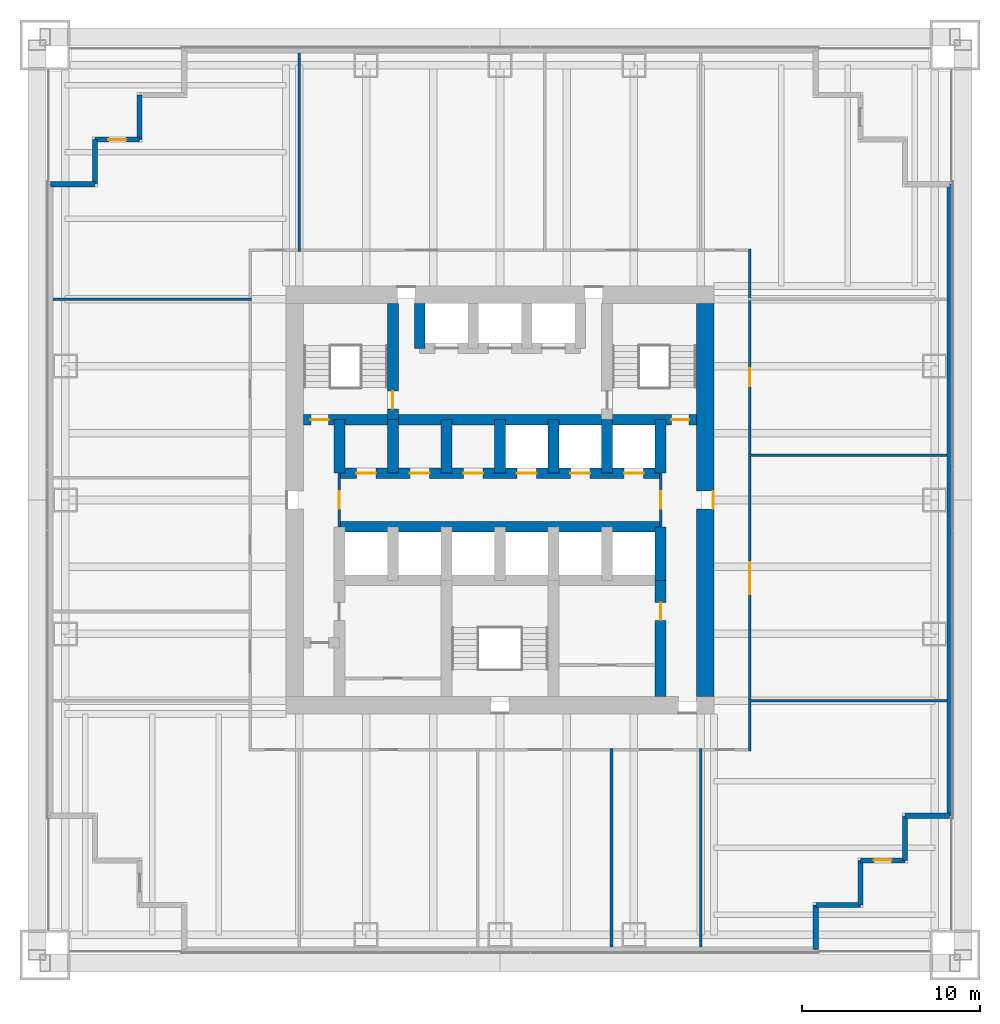
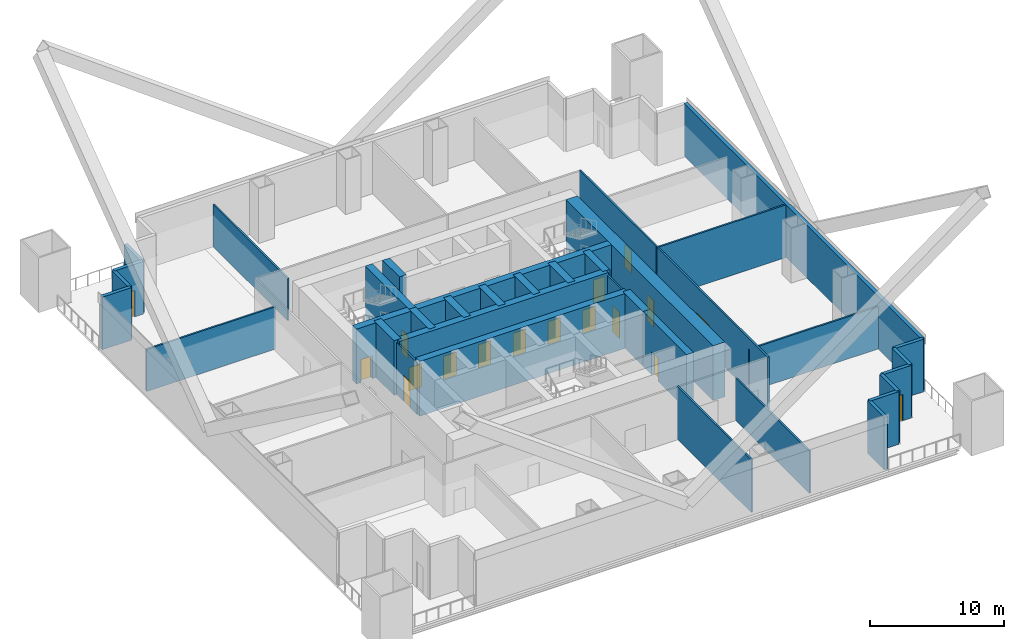
# One storey, part 3 of 6: 35 walls, 17 doors, 17 openings.
"""IFC4 building model written with IfcOpenShell, lengths in metres."""

from ifc_helpers import new_model, si_unit, direction, frame, frame_2d, origin, place, context, subcontext, project, spatial, rectangle, extrude, material, layer, layer_set, type_object, element, fill, save


model = new_model("IFC4")

# Units and contexts
model_context = context("Model", 3, precision=1e-05, world=origin(), true_north=direction((0.0, 1.0)))
body_context = subcontext(model_context, "Body", "Model", "MODEL_VIEW")
ifc_project = project(units=[si_unit("LENGTHUNIT", "METRE"), si_unit("AREAUNIT", "SQUARE_METRE"), si_unit("VOLUMEUNIT", "CUBIC_METRE"), si_unit("PLANEANGLEUNIT", "RADIAN"), si_unit("MASSUNIT", "GRAM", prefix="KILO")], contexts=[model_context])

# Site, building, storey
site_placement = place(None, origin())
site = spatial("IfcSite", under=ifc_project, at=site_placement, CompositionType="ELEMENT")
building_placement = place(site_placement, origin())
building = spatial("IfcBuilding", under=site, at=building_placement, Name="Tarangal Relay Tower", CompositionType="ELEMENT")
storey_placement = place(building_placement, frame((0.0, 0.0, 38.39990234375)))
storey = spatial("IfcBuildingStorey", under=building, at=storey_placement, Name="L07", CompositionType="ELEMENT", Elevation=38.39990234375)

# Wall, openings, doors
ifc_material_1 = material(Name="Concrete fc' 60 MPa", Category="concrete")
ifc_layer_1 = layer(ifc_material_1, 0.60009765625)
ifc_layer_set_1 = layer_set([ifc_layer_1], Name="Core inner wall 600")
wall_type_1 = type_object("IfcWallType", Name="Core inner wall 600", PredefinedType="SHEAR", material=ifc_layer_set_1)
wall_1_placement = place(storey_placement, frame((-11.0, 4.5, 0.0), z_axis=(0.0, 0.0, 1.0), x_axis=(1.0, 0.0, 0.0)))
wall_1 = element("IfcWall", 1, at=wall_1_placement, inside=storey, type_object=wall_type_1, Name="Core wall Y45 L07", PredefinedType="SHEAR", context=body_context, shape_type="SweptSolid", body=[
    extrude(rectangle(XDim=22.0, YDim=0.60009765625, at=frame_2d((11.0, 0.0))), origin(), (0.0, 0.0, 1.0), 5.0),
])
opening_1_placement = place(wall_1_placement, frame((0.39990234375, 0.0, 0.0)))
opening_1 = element("IfcOpeningElement", 2, at=opening_1_placement, cuts=wall_1, Name="Opening FD1", PredefinedType="OPENING", context=body_context, shape_type="SweptSolid", body=[
    extrude(rectangle(XDim=1.0, YDim=2.10009765625, at=frame_2d((0.5, 1.050048828125))), frame((0.0, 0.31005859375, 0.0), z_axis=(0.0, -1.0, 0.0), x_axis=(1.0, 0.0, 0.0)), (0.0, 0.0, 1.0), 0.6201171875),
])
opening_2_placement = place(wall_1_placement, frame((20.60009765625, 0.0, 0.0)))
opening_2 = element("IfcOpeningElement", 3, at=opening_2_placement, cuts=wall_1, Name="Opening FD1", PredefinedType="OPENING", context=body_context, shape_type="SweptSolid", body=[
    extrude(rectangle(XDim=1.0, YDim=2.10009765625, at=frame_2d((0.5, 1.050048828125))), frame((0.0, 0.31005859375, 0.0), z_axis=(0.0, -1.0, 0.0), x_axis=(1.0, 0.0, 0.0)), (0.0, 0.0, 1.0), 0.6201171875),
])
ifc_material_2 = material(Name="Steel door with hardwood frame", Category="steel")
door_type_1 = type_object("IfcDoorType", Name="Fire door 1000 x 2100", OperationType="SINGLE_SWING_LEFT", PredefinedType="DOOR", material=ifc_material_2)
door_1_placement = place(opening_1_placement, origin())
door_1 = element("IfcDoor", 4, at=door_1_placement, inside=storey, type_object=door_type_1, Name="Stair ST-A door from corridor L07", OperationType="SINGLE_SWING_LEFT", OverallHeight=2.10009765625, OverallWidth=1.0, PredefinedType="DOOR", context=body_context, shape_type="SweptSolid", body=[
    extrude(rectangle(XDim=1.0, YDim=2.10009765625, at=frame_2d((0.5, 1.050048828125))), frame((0.0, 0.02490234375, 0.0), z_axis=(0.0, -1.0, 0.0), x_axis=(1.0, 0.0, 0.0)), (0.0, 0.0, 1.0), 0.050048828125),
])
fill(opening_1, door_1)
door_2_placement = place(opening_2_placement, origin())
door_2 = element("IfcDoor", 5, at=door_2_placement, inside=storey, type_object=door_type_1, Name="Stair ST-B door from corridor L07", OperationType="SINGLE_SWING_LEFT", OverallHeight=2.10009765625, OverallWidth=1.0, PredefinedType="DOOR", context=body_context, shape_type="SweptSolid", body=[
    extrude(rectangle(XDim=1.0, YDim=2.10009765625, at=frame_2d((0.5, 1.050048828125))), frame((0.0, 0.02490234375, 0.0), z_axis=(0.0, -1.0, 0.0), x_axis=(1.0, 0.0, 0.0)), (0.0, 0.0, 1.0), 0.050048828125),
])
fill(opening_2, door_2)

wall_2_placement = place(storey_placement, frame((-9.0, 1.5, 0.0), z_axis=(0.0, 0.0, 1.0), x_axis=(1.0, 0.0, 0.0)))
wall_2 = element("IfcWall", 6, at=wall_2_placement, inside=storey, type_object=wall_type_1, Name="Core wall Y15 L07", PredefinedType="SHEAR", context=body_context, shape_type="SweptSolid", body=[
    extrude(rectangle(XDim=18.0, YDim=0.60009765625, at=frame_2d((9.0, 0.0))), origin(), (0.0, 0.0, 1.0), 5.0),
])
opening_3_placement = place(wall_2_placement, frame((9.949951171875, 0.0, 0.0)))
opening_3 = element("IfcOpeningElement", 7, at=opening_3_placement, cuts=wall_2, Name="Opening LD1", PredefinedType="OPENING", context=body_context, shape_type="SweptSolid", body=[
    extrude(rectangle(XDim=1.10009765625, YDim=2.10009765625, at=frame_2d((0.550048828125, 1.050048828125))), frame((0.0, 0.31005859375, 0.0), z_axis=(0.0, -1.0, 0.0), x_axis=(1.0, 0.0, 0.0)), (0.0, 0.0, 1.0), 0.6201171875),
])
opening_4_placement = place(wall_2_placement, frame((12.949951171875, 0.0, 0.0)))
opening_4 = element("IfcOpeningElement", 8, at=opening_4_placement, cuts=wall_2, Name="Opening LD1", PredefinedType="OPENING", context=body_context, shape_type="SweptSolid", body=[
    extrude(rectangle(XDim=1.10009765625, YDim=2.10009765625, at=frame_2d((0.550048828125, 1.050048828125))), frame((0.0, 0.31005859375, 0.0), z_axis=(0.0, -1.0, 0.0), x_axis=(1.0, 0.0, 0.0)), (0.0, 0.0, 1.0), 0.6201171875),
])
opening_5_placement = place(wall_2_placement, frame((15.949951171875, 0.0, 0.0)))
opening_5 = element("IfcOpeningElement", 9, at=opening_5_placement, cuts=wall_2, Name="Opening LD1", PredefinedType="OPENING", context=body_context, shape_type="SweptSolid", body=[
    extrude(rectangle(XDim=1.10009765625, YDim=2.10009765625, at=frame_2d((0.550048828125, 1.050048828125))), frame((0.0, 0.31005859375, 0.0), z_axis=(0.0, -1.0, 0.0), x_axis=(1.0, 0.0, 0.0)), (0.0, 0.0, 1.0), 0.6201171875),
])
opening_6_placement = place(wall_2_placement, frame((0.949951171875, 0.0, 0.0)))
opening_6 = element("IfcOpeningElement", 10, at=opening_6_placement, cuts=wall_2, Name="Opening D4", PredefinedType="OPENING", context=body_context, shape_type="SweptSolid", body=[
    extrude(rectangle(XDim=1.10009765625, YDim=2.10009765625, at=frame_2d((0.550048828125, 1.050048828125))), frame((0.0, 0.31005859375, 0.0), z_axis=(0.0, -1.0, 0.0), x_axis=(1.0, 0.0, 0.0)), (0.0, 0.0, 1.0), 0.6201171875),
])
opening_7_placement = place(wall_2_placement, frame((3.949951171875, 0.0, 0.0)))
opening_7 = element("IfcOpeningElement", 11, at=opening_7_placement, cuts=wall_2, Name="Opening D4", PredefinedType="OPENING", context=body_context, shape_type="SweptSolid", body=[
    extrude(rectangle(XDim=1.10009765625, YDim=2.10009765625, at=frame_2d((0.550048828125, 1.050048828125))), frame((0.0, 0.31005859375, 0.0), z_axis=(0.0, -1.0, 0.0), x_axis=(1.0, 0.0, 0.0)), (0.0, 0.0, 1.0), 0.6201171875),
])
opening_8_placement = place(wall_2_placement, frame((6.949951171875, 0.0, 0.0)))
opening_8 = element("IfcOpeningElement", 12, at=opening_8_placement, cuts=wall_2, Name="Opening D4", PredefinedType="OPENING", context=body_context, shape_type="SweptSolid", body=[
    extrude(rectangle(XDim=1.10009765625, YDim=2.10009765625, at=frame_2d((0.550048828125, 1.050048828125))), frame((0.0, 0.31005859375, 0.0), z_axis=(0.0, -1.0, 0.0), x_axis=(1.0, 0.0, 0.0)), (0.0, 0.0, 1.0), 0.6201171875),
])
door_type_2 = type_object("IfcDoorType", Name="Core room door 1100 x 2100", OperationType="SINGLE_SWING_RIGHT", PredefinedType="DOOR", material=ifc_material_2)
door_3_placement = place(opening_6_placement, origin())
door_3 = element("IfcDoor", 13, at=door_3_placement, inside=storey, type_object=door_type_2, Name="Door D4 to cleaner's store L07-D1", OperationType="SINGLE_SWING_RIGHT", OverallHeight=2.10009765625, OverallWidth=1.10009765625, PredefinedType="DOOR", context=body_context, shape_type="SweptSolid", body=[
    extrude(rectangle(XDim=1.10009765625, YDim=2.10009765625, at=frame_2d((0.550048828125, 1.050048828125))), frame((0.0, 0.02490234375, 0.0), z_axis=(0.0, -1.0, 0.0), x_axis=(1.0, 0.0, 0.0)), (0.0, 0.0, 1.0), 0.050048828125),
])
fill(opening_6, door_3)
door_4_placement = place(opening_7_placement, origin())
door_4 = element("IfcDoor", 14, at=door_4_placement, inside=storey, type_object=door_type_2, Name="Door D4 to it room L07-D2", OperationType="SINGLE_SWING_RIGHT", OverallHeight=2.10009765625, OverallWidth=1.10009765625, PredefinedType="DOOR", context=body_context, shape_type="SweptSolid", body=[
    extrude(rectangle(XDim=1.10009765625, YDim=2.10009765625, at=frame_2d((0.550048828125, 1.050048828125))), frame((0.0, 0.02490234375, 0.0), z_axis=(0.0, -1.0, 0.0), x_axis=(1.0, 0.0, 0.0)), (0.0, 0.0, 1.0), 0.050048828125),
])
fill(opening_7, door_4)
door_5_placement = place(opening_8_placement, origin())
door_5 = element("IfcDoor", 15, at=door_5_placement, inside=storey, type_object=door_type_2, Name="Door D4 to back-of-house plant room L07-D3", OperationType="SINGLE_SWING_RIGHT", OverallHeight=2.10009765625, OverallWidth=1.10009765625, PredefinedType="DOOR", context=body_context, shape_type="SweptSolid", body=[
    extrude(rectangle(XDim=1.10009765625, YDim=2.10009765625, at=frame_2d((0.550048828125, 1.050048828125))), frame((0.0, 0.02490234375, 0.0), z_axis=(0.0, -1.0, 0.0), x_axis=(1.0, 0.0, 0.0)), (0.0, 0.0, 1.0), 0.050048828125),
])
fill(opening_8, door_5)
door_type_3 = type_object("IfcDoorType", Name="Lift landing door 1100 x 2100", OperationType="SLIDING_TO_LEFT", PredefinedType="DOOR", material=ifc_material_2)
door_6_placement = place(opening_3_placement, origin())
door_6 = element("IfcDoor", 16, at=door_6_placement, inside=storey, type_object=door_type_3, Name="Lift T1 landing door L07", OperationType="SLIDING_TO_LEFT", OverallHeight=2.10009765625, OverallWidth=1.10009765625, PredefinedType="DOOR", context=body_context, shape_type="SweptSolid", body=[
    extrude(rectangle(XDim=1.10009765625, YDim=2.10009765625, at=frame_2d((0.550048828125, 1.050048828125))), frame((0.0, 0.02490234375, 0.0), z_axis=(0.0, -1.0, 0.0), x_axis=(1.0, 0.0, 0.0)), (0.0, 0.0, 1.0), 0.050048828125),
])
fill(opening_3, door_6)
door_7_placement = place(opening_4_placement, origin())
door_7 = element("IfcDoor", 17, at=door_7_placement, inside=storey, type_object=door_type_3, Name="Lift T2 landing door L07", OperationType="SLIDING_TO_LEFT", OverallHeight=2.10009765625, OverallWidth=1.10009765625, PredefinedType="DOOR", context=body_context, shape_type="SweptSolid", body=[
    extrude(rectangle(XDim=1.10009765625, YDim=2.10009765625, at=frame_2d((0.550048828125, 1.050048828125))), frame((0.0, 0.02490234375, 0.0), z_axis=(0.0, -1.0, 0.0), x_axis=(1.0, 0.0, 0.0)), (0.0, 0.0, 1.0), 0.050048828125),
])
fill(opening_4, door_7)
door_8_placement = place(opening_5_placement, origin())
door_8 = element("IfcDoor", 18, at=door_8_placement, inside=storey, type_object=door_type_3, Name="Lift T3 landing door L07", OperationType="SLIDING_TO_LEFT", OverallHeight=2.10009765625, OverallWidth=1.10009765625, PredefinedType="DOOR", context=body_context, shape_type="SweptSolid", body=[
    extrude(rectangle(XDim=1.10009765625, YDim=2.10009765625, at=frame_2d((0.550048828125, 1.050048828125))), frame((0.0, 0.02490234375, 0.0), z_axis=(0.0, -1.0, 0.0), x_axis=(1.0, 0.0, 0.0)), (0.0, 0.0, 1.0), 0.050048828125),
])
fill(opening_5, door_8)

# Walls
wall_3_placement = place(storey_placement, frame((-9.0, -1.5, 0.0), z_axis=(0.0, 0.0, 1.0), x_axis=(1.0, 0.0, 0.0)))
element("IfcWall", 19, at=wall_3_placement, inside=storey, type_object=wall_type_1, Name="Core wall YM15 L07", PredefinedType="SHEAR", context=body_context, shape_type="SweptSolid", body=[
    extrude(rectangle(XDim=18.0, YDim=0.60009765625, at=frame_2d((9.0, 0.0))), origin(), (0.0, 0.0, 1.0), 5.0),
])
for number, where, z_axis, x_axis, name in (
    (20, (-9.0, 1.5, 0.0), (0.0, 0.0, 1.0), (0.0, 1.0, 0.0), "Core wall XM9N L07"),
    (21, (9.0, 1.5, 0.0), (0.0, 0.0, 1.0), (0.0, 1.0, 0.0), "Core wall X9N L07"),
    (22, (9.0, -4.5, 0.0), (0.0, 0.0, 1.0), (0.0, 1.0, 0.0), "Core wall X9S L07"),
    (23, (-6.0, 1.5, 0.0), (0.0, 0.0, 1.0), (0.0, 1.0, 0.0), "Core wall XM6N L07"),
    (24, (-3.0, 1.5, 0.0), (0.0, 0.0, 1.0), (0.0, 1.0, 0.0), "Core wall XM3N L07"),
    (25, (0.0, 1.5, 0.0), (0.0, 0.0, 1.0), (0.0, 1.0, 0.0), "Core wall X0N L07"),
    (26, (3.0, 1.5, 0.0), (0.0, 0.0, 1.0), (0.0, 1.0, 0.0), "Core wall X3N L07"),
    (27, (6.0, 1.5, 0.0), (0.0, 0.0, 1.0), (0.0, 1.0, 0.0), "Core wall X6N L07"),
):
    element("IfcWall", number, at=place(storey_placement, frame(where, z_axis=z_axis, x_axis=x_axis)), inside=storey, type_object=wall_type_1, Name=name, PredefinedType="SHEAR", context=body_context, shape_type="SweptSolid", body=[
        extrude(rectangle(XDim=3.0, YDim=0.60009765625, at=frame_2d((1.5, 0.0))), origin(), (0.0, 0.0, 1.0), 5.0),
    ])

# Wall, opening, door
wall_4_placement = place(storey_placement, frame((-6.0, 4.5, 0.0), z_axis=(0.0, 0.0, 1.0), x_axis=(0.0, 1.0, 0.0)))
wall_4 = element("IfcWall", 28, at=wall_4_placement, inside=storey, type_object=wall_type_1, Name="Core wall XM6 L07", PredefinedType="SHEAR", context=body_context, shape_type="SweptSolid", body=[
    extrude(rectangle(XDim=6.5, YDim=0.60009765625, at=frame_2d((3.25, 0.0))), origin(), (0.0, 0.0, 1.0), 5.0),
])
opening_9_placement = place(wall_4_placement, frame((0.60009765625, 0.0, 0.0)))
opening_9 = element("IfcOpeningElement", 29, at=opening_9_placement, cuts=wall_4, Name="Opening FD1", PredefinedType="OPENING", context=body_context, shape_type="SweptSolid", body=[
    extrude(rectangle(XDim=1.0, YDim=2.10009765625, at=frame_2d((0.5, 1.050048828125))), frame((0.0, 0.31005859375, 0.0), z_axis=(0.0, -1.0, 0.0), x_axis=(1.0, 0.0, 0.0)), (0.0, 0.0, 1.0), 0.6201171875),
])
door_9_placement = place(opening_9_placement, origin())
door_9 = element("IfcDoor", 30, at=door_9_placement, inside=storey, type_object=door_type_1, Name="Stair ST-A door from fire-fighting lobby L07", OperationType="SINGLE_SWING_LEFT", OverallHeight=2.10009765625, OverallWidth=1.0, PredefinedType="DOOR", context=body_context, shape_type="SweptSolid", body=[
    extrude(rectangle(XDim=1.0, YDim=2.10009765625, at=frame_2d((0.5, 1.050048828125))), frame((0.0, 0.02490234375, 0.0), z_axis=(0.0, -1.0, 0.0), x_axis=(1.0, 0.0, 0.0)), (0.0, 0.0, 1.0), 0.050048828125),
])
fill(opening_9, door_9)

# Wall
wall_5_placement = place(storey_placement, frame((-4.5, 8.5, 0.0), z_axis=(0.0, 0.0, 1.0), x_axis=(0.0, 1.0, 0.0)))
element("IfcWall", 31, at=wall_5_placement, inside=storey, type_object=wall_type_1, Name="Core wall XM45 L07", PredefinedType="SHEAR", context=body_context, shape_type="SweptSolid", body=[
    extrude(rectangle(XDim=2.5, YDim=0.60009765625, at=frame_2d((1.25, 0.0))), origin(), (0.0, 0.0, 1.0), 5.0),
])

# Wall, opening, door
wall_6_placement = place(storey_placement, frame((9.0, -11.0, 0.0), z_axis=(0.0, 0.0, 1.0), x_axis=(0.0, 1.0, 0.0)))
wall_6 = element("IfcWall", 32, at=wall_6_placement, inside=storey, type_object=wall_type_1, Name="Core wall X9W L07", PredefinedType="SHEAR", context=body_context, shape_type="SweptSolid", body=[
    extrude(rectangle(XDim=6.5, YDim=0.60009765625, at=frame_2d((3.25, 0.0))), origin(), (0.0, 0.0, 1.0), 5.0),
])
opening_10_placement = place(wall_6_placement, frame((4.25, 0.0, 0.0)))
opening_10 = element("IfcOpeningElement", 33, at=opening_10_placement, cuts=wall_6, Name="Opening D1", PredefinedType="OPENING", context=body_context, shape_type="SweptSolid", body=[
    extrude(rectangle(XDim=1.0, YDim=2.10009765625, at=frame_2d((0.5, 1.050048828125))), frame((0.0, 0.31005859375, 0.0), z_axis=(0.0, -1.0, 0.0), x_axis=(1.0, 0.0, 0.0)), (0.0, 0.0, 1.0), 0.6201171875),
])
ifc_material_3 = material(Name="Hardwood door", Category="wood")
door_type_4 = type_object("IfcDoorType", Name="WC door 1000 x 2100", OperationType="SINGLE_SWING_LEFT", PredefinedType="DOOR", material=ifc_material_3)
door_10_placement = place(opening_10_placement, origin())
door_10 = element("IfcDoor", 34, at=door_10_placement, inside=storey, type_object=door_type_4, Name="Female WC door L07", OperationType="SINGLE_SWING_LEFT", OverallHeight=2.10009765625, OverallWidth=1.0, PredefinedType="DOOR", context=body_context, shape_type="SweptSolid", body=[
    extrude(rectangle(XDim=1.0, YDim=2.10009765625, at=frame_2d((0.5, 1.050048828125))), frame((0.0, 0.02490234375, 0.0), z_axis=(0.0, -1.0, 0.0), x_axis=(1.0, 0.0, 0.0)), (0.0, 0.0, 1.0), 0.050048828125),
])
fill(opening_10, door_10)

ifc_layer_2 = layer(ifc_material_1, 1.0)
ifc_layer_set_2 = layer_set([ifc_layer_2], Name="Core wall 1000")
wall_type_2 = type_object("IfcWallType", Name="Core wall 1000", PredefinedType="SHEAR", material=ifc_layer_set_2)
wall_7_placement = place(storey_placement, frame((11.5, 11.0, 0.0), z_axis=(0.0, 0.0, 1.0), x_axis=(0.0, -1.0, 0.0)))
wall_7 = element("IfcWall", 35, at=wall_7_placement, inside=storey, type_object=wall_type_2, Name="Core wall E L07", PredefinedType="SHEAR", context=body_context, shape_type="SweptSolid", body=[
    extrude(rectangle(XDim=22.0, YDim=1.0, at=frame_2d((11.0, 0.0))), origin(), (0.0, 0.0, 1.0), 5.0),
])
opening_11_placement = place(wall_7_placement, frame((10.5, 0.0, 0.0)))
opening_11 = element("IfcOpeningElement", 36, at=opening_11_placement, cuts=wall_7, Name="Opening FD3", PredefinedType="OPENING", context=body_context, shape_type="SweptSolid", body=[
    extrude(rectangle(XDim=1.0, YDim=2.39990234375, at=frame_2d((0.5, 1.199951171875))), frame((0.0, 0.510009765625, 0.0), z_axis=(0.0, -1.0, 0.0), x_axis=(1.0, 0.0, 0.0)), (0.0, 0.0, 1.0), 1.02001953125),
])
door_type_5 = type_object("IfcDoorType", Name="Fire door 1000 x 2400 core entry", OperationType="SINGLE_SWING_RIGHT", PredefinedType="DOOR", material=ifc_material_2)
door_11_placement = place(opening_11_placement, origin())
door_11 = element("IfcDoor", 37, at=door_11_placement, inside=storey, type_object=door_type_5, Name="Core entry door east L07", OperationType="SINGLE_SWING_RIGHT", OverallHeight=2.39990234375, OverallWidth=1.0, PredefinedType="DOOR", context=body_context, shape_type="SweptSolid", body=[
    extrude(rectangle(XDim=1.0, YDim=2.39990234375, at=frame_2d((0.5, 1.199951171875))), frame((0.0, 0.48486328125, 0.0), z_axis=(0.0, -1.0, 0.0), x_axis=(1.0, 0.0, 0.0)), (0.0, 0.0, 1.0), 0.050048828125),
])
fill(opening_11, door_11)

# Walls
ifc_material_4 = material(Name="Insulated precast concrete fc' 40 MPa", Category="concrete")
ifc_layer_3 = layer(ifc_material_4, 0.300048828125)
ifc_layer_set_3 = layer_set([ifc_layer_3], Name="Insulated precast concrete fc' 40 MPa")
wall_type_3 = type_object("IfcWallType", Name="Facade wall precast 300", PredefinedType="SOLIDWALL", material=ifc_layer_set_3)
wall_8_placement = place(storey_placement, frame((25.199951171875, 17.699951171875, 0.0), z_axis=(0.0, 0.0, 1.0), x_axis=(0.0, -1.0, 0.0)))
element("IfcWall", 38, at=wall_8_placement, inside=storey, type_object=wall_type_3, Name="Facade wall E facade L07", PredefinedType="SOLIDWALL", context=body_context, shape_type="SweptSolid", body=[
    extrude(rectangle(XDim=35.39990234375, YDim=0.300048828125, at=frame_2d((17.699951171875, 0.0))), origin(), (0.0, 0.0, 1.0), 4.800048828125),
])
for number, where, z_axis, x_axis, name in (
    (39, (25.199951171875, -17.699951171875, 0.0), (0.0, 0.0, 1.0), (-1.0, 0.0, 0.0), "Facade wall E facade L07"),
    (40, (22.699951171875, -17.699951171875, 0.0), (0.0, 0.0, 1.0), (0.0, -1.0, 0.0), "Facade wall E facade L07"),
):
    element("IfcWall", number, at=place(storey_placement, frame(where, z_axis=z_axis, x_axis=x_axis)), inside=storey, type_object=wall_type_3, Name=name, PredefinedType="SOLIDWALL", context=body_context, shape_type="SweptSolid", body=[
        extrude(rectangle(XDim=2.5, YDim=0.300048828125, at=frame_2d((1.25, 0.0))), origin(), (0.0, 0.0, 1.0), 4.800048828125),
    ])

# Wall, opening, door
wall_9_placement = place(storey_placement, frame((22.699951171875, -20.199951171875, 0.0), z_axis=(0.0, 0.0, 1.0), x_axis=(-1.0, 0.0, 0.0)))
wall_9 = element("IfcWall", 41, at=wall_9_placement, inside=storey, type_object=wall_type_3, Name="Facade wall E facade L07", PredefinedType="SOLIDWALL", context=body_context, shape_type="SweptSolid", body=[
    extrude(rectangle(XDim=2.5, YDim=0.300048828125, at=frame_2d((1.25, 0.0))), origin(), (0.0, 0.0, 1.0), 4.800048828125),
])
opening_12_placement = place(wall_9_placement, frame((0.75, 0.0, 0.0)))
opening_12 = element("IfcOpeningElement", 42, at=opening_12_placement, cuts=wall_9, Name="Opening TD1", PredefinedType="OPENING", context=body_context, shape_type="SweptSolid", body=[
    extrude(rectangle(XDim=1.0, YDim=2.39990234375, at=frame_2d((0.5, 1.199951171875))), frame((0.0, 0.159912109375, 0.0), z_axis=(0.0, -1.0, 0.0), x_axis=(1.0, 0.0, 0.0)), (0.0, 0.0, 1.0), 0.320068359375),
])
ifc_material_5 = material(Name="Aluminium glazed door", Category="aluminium")
door_type_6 = type_object("IfcDoorType", Name="Terrace door 1000 x 2400", OperationType="SINGLE_SWING_RIGHT", PredefinedType="DOOR", material=ifc_material_5)
door_12_placement = place(opening_12_placement, origin())
door_12 = element("IfcDoor", 43, at=door_12_placement, inside=storey, type_object=door_type_6, Name="Terrace door TD1 SE L07", OperationType="SINGLE_SWING_RIGHT", OverallHeight=2.39990234375, OverallWidth=1.0, PredefinedType="DOOR", context=body_context, shape_type="SweptSolid", body=[
    extrude(rectangle(XDim=1.0, YDim=2.39990234375, at=frame_2d((0.5, 1.199951171875))), frame((0.0, 0.02490234375, 0.0), z_axis=(0.0, -1.0, 0.0), x_axis=(1.0, 0.0, 0.0)), (0.0, 0.0, 1.0), 0.050048828125),
])
fill(opening_12, door_12)

# Walls
for number, where, z_axis, x_axis, name in (
    (44, (20.199951171875, -20.199951171875, 0.0), (0.0, 0.0, 1.0), (0.0, -1.0, 0.0), "Facade wall E facade L07"),
    (45, (20.199951171875, -22.699951171875, 0.0), (0.0, 0.0, 1.0), (-1.0, 0.0, 0.0), "Facade wall E facade L07"),
    (46, (17.699951171875, -22.699951171875, 0.0), (0.0, 0.0, 1.0), (0.0, -1.0, 0.0), "Facade wall E facade L07"),
    (47, (-25.199951171875, 17.699951171875, 0.0), (0.0, 0.0, 1.0), (1.0, 0.0, 0.0), "Facade wall W facade L07"),
    (48, (-22.699951171875, 17.699951171875, 0.0), (0.0, 0.0, 1.0), (0.0, 1.0, 0.0), "Facade wall W facade L07"),
):
    element("IfcWall", number, at=place(storey_placement, frame(where, z_axis=z_axis, x_axis=x_axis)), inside=storey, type_object=wall_type_3, Name=name, PredefinedType="SOLIDWALL", context=body_context, shape_type="SweptSolid", body=[
        extrude(rectangle(XDim=2.5, YDim=0.300048828125, at=frame_2d((1.25, 0.0))), origin(), (0.0, 0.0, 1.0), 4.800048828125),
    ])

# Wall, opening, door
wall_10_placement = place(storey_placement, frame((-22.699951171875, 20.199951171875, 0.0), z_axis=(0.0, 0.0, 1.0), x_axis=(1.0, 0.0, 0.0)))
wall_10 = element("IfcWall", 49, at=wall_10_placement, inside=storey, type_object=wall_type_3, Name="Facade wall W facade L07", PredefinedType="SOLIDWALL", context=body_context, shape_type="SweptSolid", body=[
    extrude(rectangle(XDim=2.5, YDim=0.300048828125, at=frame_2d((1.25, 0.0))), origin(), (0.0, 0.0, 1.0), 4.800048828125),
])
opening_13_placement = place(wall_10_placement, frame((0.75, 0.0, 0.0)))
opening_13 = element("IfcOpeningElement", 50, at=opening_13_placement, cuts=wall_10, Name="Opening TD1", PredefinedType="OPENING", context=body_context, shape_type="SweptSolid", body=[
    extrude(rectangle(XDim=1.0, YDim=2.39990234375, at=frame_2d((0.5, 1.199951171875))), frame((0.0, 0.159912109375, 0.0), z_axis=(0.0, -1.0, 0.0), x_axis=(1.0, 0.0, 0.0)), (0.0, 0.0, 1.0), 0.320068359375),
])
door_13_placement = place(opening_13_placement, origin())
door_13 = element("IfcDoor", 51, at=door_13_placement, inside=storey, type_object=door_type_6, Name="Terrace door TD1 NW L07", OperationType="SINGLE_SWING_RIGHT", OverallHeight=2.39990234375, OverallWidth=1.0, PredefinedType="DOOR", context=body_context, shape_type="SweptSolid", body=[
    extrude(rectangle(XDim=1.0, YDim=2.39990234375, at=frame_2d((0.5, 1.199951171875))), frame((0.0, 0.02490234375, 0.0), z_axis=(0.0, -1.0, 0.0), x_axis=(1.0, 0.0, 0.0)), (0.0, 0.0, 1.0), 0.050048828125),
])
fill(opening_13, door_13)

# Walls
wall_11_placement = place(storey_placement, frame((-20.199951171875, 20.199951171875, 0.0), z_axis=(0.0, 0.0, 1.0), x_axis=(0.0, 1.0, 0.0)))
element("IfcWall", 52, at=wall_11_placement, inside=storey, type_object=wall_type_3, Name="Facade wall W facade L07", PredefinedType="SOLIDWALL", context=body_context, shape_type="SweptSolid", body=[
    extrude(rectangle(XDim=2.5, YDim=0.300048828125, at=frame_2d((1.25, 0.0))), origin(), (0.0, 0.0, 1.0), 4.800048828125),
])
ifc_material_6 = material(Name="Gypsum board on steel studs", Category="steel")
ifc_layer_4 = layer(ifc_material_6, 0.14990234375)
ifc_layer_set_4 = layer_set([ifc_layer_4], Name="Partition 150")
wall_type_4 = type_object("IfcWallType", Name="Partition 150", PredefinedType="PARTITIONING", material=ifc_layer_set_4)
wall_12_placement = place(storey_placement, frame((13.925048828125, -11.25, 0.0), z_axis=(0.0, 0.0, 1.0), x_axis=(1.0, 0.0, 0.0)))
element("IfcWall", 53, at=wall_12_placement, inside=storey, type_object=wall_type_4, Name="Partition PT1 L07", PredefinedType="PARTITIONING", context=body_context, shape_type="SweptSolid", body=[
    extrude(rectangle(XDim=11.125, YDim=0.14990234375, at=frame_2d((5.5625, 0.0))), origin(), (0.0, 0.0, 1.0), 3.852783203125),
])
wall_13_placement = place(storey_placement, frame((13.925048828125, 2.5, 0.0), z_axis=(0.0, 0.0, 1.0), x_axis=(1.0, 0.0, 0.0)))
element("IfcWall", 54, at=wall_13_placement, inside=storey, type_object=wall_type_4, Name="Partition PT1 L07", PredefinedType="PARTITIONING", context=body_context, shape_type="SweptSolid", body=[
    extrude(rectangle(XDim=11.125, YDim=0.14990234375, at=frame_2d((5.5625, 0.0))), origin(), (0.0, 0.0, 1.0), 4.800048828125),
])
for number, where, z_axis, x_axis, name in (
    (55, (-25.050048828125, 11.25, 0.0), (0.0, 0.0, 1.0), (1.0, 0.0, 0.0), "Partition PT1 L07"),
    (56, (-11.25, 13.925048828125, 0.0), (0.0, 0.0, 1.0), (0.0, 1.0, 0.0), "Partition PT1 L07"),
):
    element("IfcWall", number, at=place(storey_placement, frame(where, z_axis=z_axis, x_axis=x_axis)), inside=storey, type_object=wall_type_4, Name=name, PredefinedType="PARTITIONING", context=body_context, shape_type="SweptSolid", body=[
        extrude(rectangle(XDim=11.125, YDim=0.14990234375, at=frame_2d((5.5625, 0.0))), origin(), (0.0, 0.0, 1.0), 3.852783203125),
    ])
wall_14_placement = place(storey_placement, frame((6.25, -25.050048828125, 0.0), z_axis=(0.0, 0.0, 1.0), x_axis=(0.0, 1.0, 0.0)))
element("IfcWall", 57, at=wall_14_placement, inside=storey, type_object=wall_type_4, Name="Partition PT1 L07", PredefinedType="PARTITIONING", context=body_context, shape_type="SweptSolid", body=[
    extrude(rectangle(XDim=11.125, YDim=0.14990234375, at=frame_2d((5.5625, 0.0))), origin(), (0.0, 0.0, 1.0), 4.800048828125),
])
wall_15_placement = place(storey_placement, frame((11.25, -25.050048828125, 0.0), z_axis=(0.0, 0.0, 1.0), x_axis=(0.0, 1.0, 0.0)))
element("IfcWall", 58, at=wall_15_placement, inside=storey, type_object=wall_type_4, Name="Partition PT1 L07", PredefinedType="PARTITIONING", context=body_context, shape_type="SweptSolid", body=[
    extrude(rectangle(XDim=11.125, YDim=0.14990234375, at=frame_2d((5.5625, 0.0))), origin(), (0.0, 0.0, 1.0), 3.852783203125),
])

# Wall, openings, doors
wall_16_placement = place(storey_placement, frame((14.0, -14.074951171875, 0.0), z_axis=(0.0, 0.0, 1.0), x_axis=(0.0, 1.0, 0.0)))
wall_16 = element("IfcWall", 59, at=wall_16_placement, inside=storey, type_object=wall_type_4, Name="Partition PT1 L07", PredefinedType="PARTITIONING", context=body_context, shape_type="SweptSolid", body=[
    extrude(rectangle(XDim=28.14990234375, YDim=0.14990234375, at=frame_2d((14.074951171875, 0.0))), origin(), (0.0, 0.0, 1.0), 4.800048828125),
])
opening_14_placement = place(wall_16_placement, frame((20.449951171875, 0.0, 0.0)))
opening_14 = element("IfcOpeningElement", 60, at=opening_14_placement, cuts=wall_16, Name="Opening D2", PredefinedType="OPENING", context=body_context, shape_type="SweptSolid", body=[
    extrude(rectangle(XDim=1.0, YDim=2.10009765625, at=frame_2d((0.5, 1.050048828125))), frame((0.0, 0.0849609375, 0.0), z_axis=(0.0, -1.0, 0.0), x_axis=(1.0, 0.0, 0.0)), (0.0, 0.0, 1.0), 0.169921875),
])
opening_15_placement = place(wall_16_placement, frame((8.800048828125, 0.0, 0.0)))
opening_15 = element("IfcOpeningElement", 61, at=opening_15_placement, cuts=wall_16, Name="Opening DD1", PredefinedType="OPENING", context=body_context, shape_type="SweptSolid", body=[
    extrude(rectangle(XDim=1.800048828125, YDim=2.39990234375, at=frame_2d((0.89990234375, 1.199951171875))), frame((0.0, 0.0849609375, 0.0), z_axis=(0.0, -1.0, 0.0), x_axis=(1.0, 0.0, 0.0)), (0.0, 0.0, 1.0), 0.169921875),
])
door_type_7 = type_object("IfcDoorType", Name="Door 1000 x 2100", OperationType="SINGLE_SWING_LEFT", PredefinedType="DOOR", material=ifc_material_3)
door_14_placement = place(opening_14_placement, origin())
door_14 = element("IfcDoor", 62, at=door_14_placement, inside=storey, type_object=door_type_7, Name="Door D2 to customer office L07-04", OperationType="SINGLE_SWING_LEFT", OverallHeight=2.10009765625, OverallWidth=1.0, PredefinedType="DOOR", context=body_context, shape_type="SweptSolid", body=[
    extrude(rectangle(XDim=1.0, YDim=2.10009765625, at=frame_2d((0.5, 1.050048828125))), frame((0.0, 0.02490234375, 0.0), z_axis=(0.0, -1.0, 0.0), x_axis=(1.0, 0.0, 0.0)), (0.0, 0.0, 1.0), 0.050048828125),
])
fill(opening_14, door_14)
door_type_8 = type_object("IfcDoorType", Name="Equipment double door 1800 x 2400", OperationType="DOUBLE_DOOR_SINGLE_SWING", PredefinedType="DOOR", material=ifc_material_2)
door_15_placement = place(opening_15_placement, origin())
door_15 = element("IfcDoor", 63, at=door_15_placement, inside=storey, type_object=door_type_8, Name="Door DD1 to data hall L07-05", OperationType="DOUBLE_DOOR_SINGLE_SWING", OverallHeight=2.39990234375, OverallWidth=1.800048828125, PredefinedType="DOOR", context=body_context, shape_type="SweptSolid", body=[
    extrude(rectangle(XDim=1.800048828125, YDim=2.39990234375, at=frame_2d((0.89990234375, 1.199951171875))), frame((0.0, 0.02490234375, 0.0), z_axis=(0.0, -1.0, 0.0), x_axis=(1.0, 0.0, 0.0)), (0.0, 0.0, 1.0), 0.050048828125),
])
fill(opening_15, door_15)

# Wall, opening, door
wall_17_placement = place(storey_placement, frame((-9.0, -1.5, 0.0), z_axis=(0.0, 0.0, 1.0), x_axis=(0.0, 1.0, 0.0)))
wall_17 = element("IfcWall", 64, at=wall_17_placement, inside=storey, type_object=wall_type_4, Name="Partition PT1 L07", PredefinedType="PARTITIONING", context=body_context, shape_type="SweptSolid", body=[
    extrude(rectangle(XDim=3.0, YDim=0.14990234375, at=frame_2d((1.5, 0.0))), origin(), (0.0, 0.0, 1.0), 4.75),
])
opening_16_placement = place(wall_17_placement, frame((1.0, 0.0, 0.0)))
opening_16 = element("IfcOpeningElement", 65, at=opening_16_placement, cuts=wall_17, Name="Opening FD3", PredefinedType="OPENING", context=body_context, shape_type="SweptSolid", body=[
    extrude(rectangle(XDim=1.0, YDim=2.39990234375, at=frame_2d((0.5, 1.199951171875))), frame((0.0, 0.0849609375, 0.0), z_axis=(0.0, -1.0, 0.0), x_axis=(1.0, 0.0, 0.0)), (0.0, 0.0, 1.0), 0.169921875),
])
door_16_placement = place(opening_16_placement, origin())
door_16 = element("IfcDoor", 66, at=door_16_placement, inside=storey, type_object=door_type_5, Name="Lift lobby door FD3 to the west corridor L07", OperationType="SINGLE_SWING_RIGHT", OverallHeight=2.39990234375, OverallWidth=1.0, PredefinedType="DOOR", context=body_context, shape_type="SweptSolid", body=[
    extrude(rectangle(XDim=1.0, YDim=2.39990234375, at=frame_2d((0.5, 1.199951171875))), frame((0.0, 0.02490234375, 0.0), z_axis=(0.0, -1.0, 0.0), x_axis=(1.0, 0.0, 0.0)), (0.0, 0.0, 1.0), 0.050048828125),
])
fill(opening_16, door_16)

wall_18_placement = place(storey_placement, frame((9.0, -1.5, 0.0), z_axis=(0.0, 0.0, 1.0), x_axis=(0.0, 1.0, 0.0)))
wall_18 = element("IfcWall", 67, at=wall_18_placement, inside=storey, type_object=wall_type_4, Name="Partition PT1 L07", PredefinedType="PARTITIONING", context=body_context, shape_type="SweptSolid", body=[
    extrude(rectangle(XDim=3.0, YDim=0.14990234375, at=frame_2d((1.5, 0.0))), origin(), (0.0, 0.0, 1.0), 4.75),
])
opening_17_placement = place(wall_18_placement, frame((1.0, 0.0, 0.0)))
opening_17 = element("IfcOpeningElement", 68, at=opening_17_placement, cuts=wall_18, Name="Opening FD3", PredefinedType="OPENING", context=body_context, shape_type="SweptSolid", body=[
    extrude(rectangle(XDim=1.0, YDim=2.39990234375, at=frame_2d((0.5, 1.199951171875))), frame((0.0, 0.0849609375, 0.0), z_axis=(0.0, -1.0, 0.0), x_axis=(1.0, 0.0, 0.0)), (0.0, 0.0, 1.0), 0.169921875),
])
door_17_placement = place(opening_17_placement, origin())
door_17 = element("IfcDoor", 69, at=door_17_placement, inside=storey, type_object=door_type_5, Name="Lift lobby door FD3 to the east corridor L07", OperationType="SINGLE_SWING_RIGHT", OverallHeight=2.39990234375, OverallWidth=1.0, PredefinedType="DOOR", context=body_context, shape_type="SweptSolid", body=[
    extrude(rectangle(XDim=1.0, YDim=2.39990234375, at=frame_2d((0.5, 1.199951171875))), frame((0.0, 0.02490234375, 0.0), z_axis=(0.0, -1.0, 0.0), x_axis=(1.0, 0.0, 0.0)), (0.0, 0.0, 1.0), 0.050048828125),
])
fill(opening_17, door_17)

save(model, "model.ifc")
